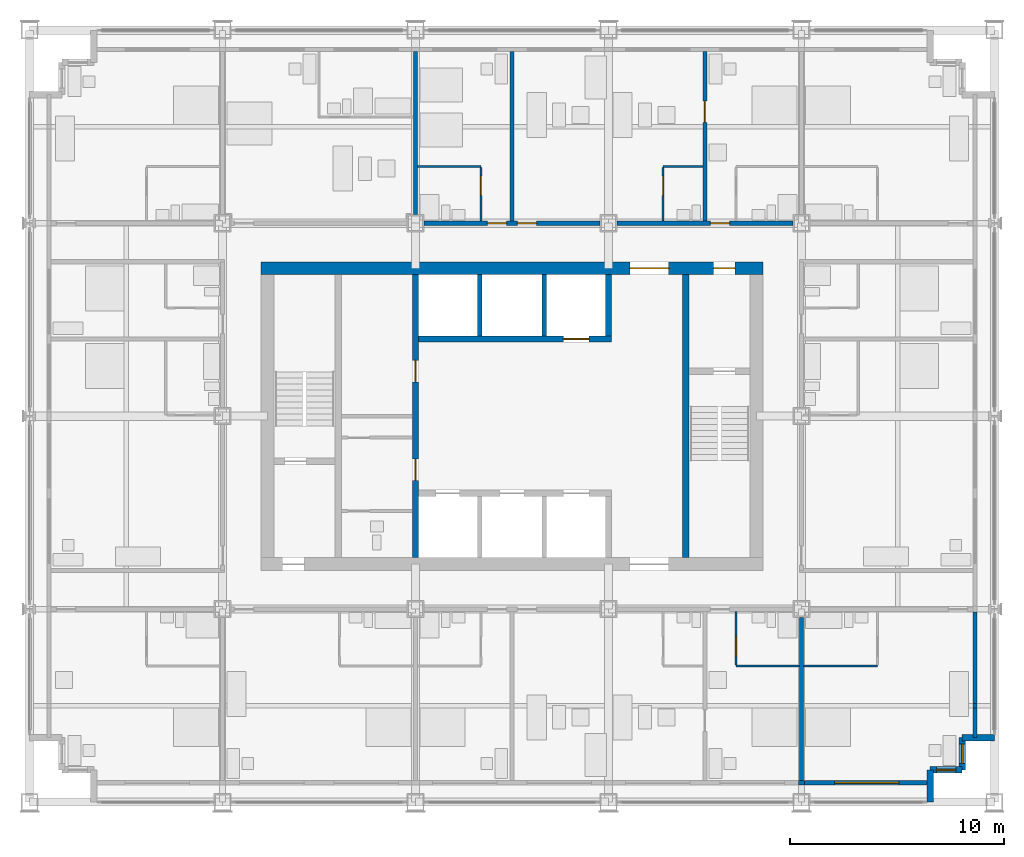
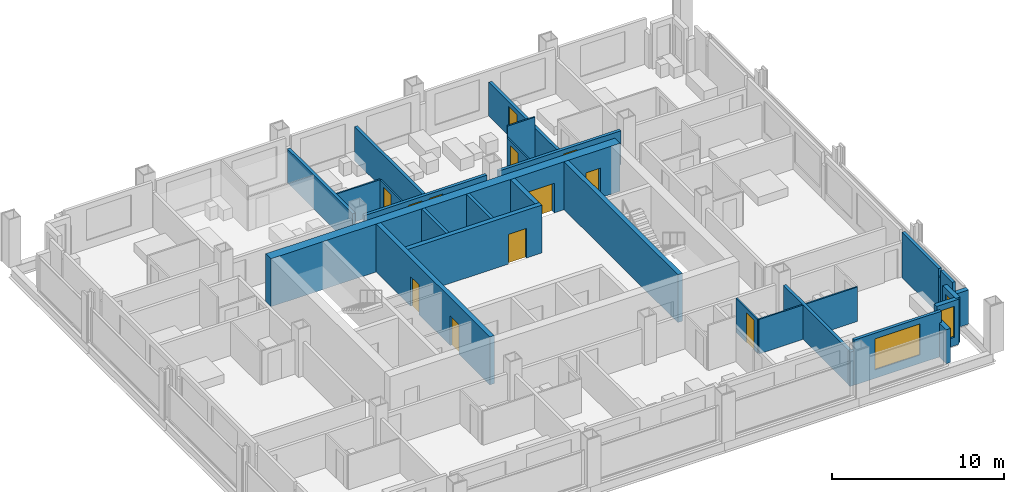
# One storey, part 11 of 16: 29 walls, 12 doors, 3 windows, 15 openings.
"""IFC4 building model written with IfcOpenShell, lengths in metres."""

from ifc_helpers import new_model, si_unit, direction, frame, frame_2d, origin, place, context, subcontext, project, spatial, rectangle, extrude, material, layer, layer_set, type_object, element, fill, save


model = new_model("IFC4")

# Units and contexts
model_context = context("Model", 3, precision=1e-05, world=origin(), true_north=direction((0.0, 1.0)))
body_context = subcontext(model_context, "Body", "Model", "MODEL_VIEW")
ifc_project = project(units=[si_unit("LENGTHUNIT", "METRE"), si_unit("AREAUNIT", "SQUARE_METRE"), si_unit("VOLUMEUNIT", "CUBIC_METRE"), si_unit("PLANEANGLEUNIT", "RADIAN"), si_unit("MASSUNIT", "GRAM", prefix="KILO")], contexts=[model_context])

# Site, building, storey
site_placement = place(None, origin())
site = spatial("IfcSite", under=ifc_project, at=site_placement, CompositionType="ELEMENT")
building_placement = place(site_placement, origin())
building = spatial("IfcBuilding", under=site, at=building_placement, Name="Loomwork Tower", CompositionType="ELEMENT")
storey_placement = place(building_placement, frame((0.0, 0.0, 148.60009765625)))
storey = spatial("IfcBuildingStorey", under=building, at=storey_placement, Name="L40", CompositionType="ELEMENT", Elevation=148.60009765625)

# Wall, openings, doors
ifc_material_1 = material(Name="Concrete 14000 psi (97 MPa)", Category="concrete")
ifc_layer_1 = layer(ifc_material_1, 0.300048828125)
ifc_layer_set_1 = layer_set([ifc_layer_1], Name="Core shear wall 300")
wall_type_1 = type_object("IfcWallType", Name="Core shear wall 300", PredefinedType="SHEAR", material=ifc_layer_set_1)
wall_1_placement = place(storey_placement, frame((18.0, 11.39990234375, 0.0), z_axis=(0.0, 0.0, 1.0), x_axis=(0.0, 1.0, 0.0)))
wall_1 = element("IfcWall", 1, at=wall_1_placement, inside=storey, type_object=wall_type_1, Name="Lobby west wall L40", PredefinedType="SHEAR", context=body_context, shape_type="SweptSolid", body=[
    extrude(rectangle(XDim=13.2001953125, YDim=0.300048828125, at=frame_2d((6.60009765625, 0.0))), origin(), (0.0, 0.0, 1.0), 3.39990234375),
])
opening_1_placement = place(wall_1_placement, frame((3.60009765625, 0.0, 0.0)))
opening_1 = element("IfcOpeningElement", 2, at=opening_1_placement, cuts=wall_1, Name="Opening D5", PredefinedType="OPENING", context=body_context, shape_type="SweptSolid", body=[
    extrude(rectangle(XDim=1.0, YDim=2.10009765625, at=frame_2d((0.5, 1.050048828125))), frame((0.0, 0.159912109375, 0.0), z_axis=(0.0, -1.0, 0.0), x_axis=(1.0, 0.0, 0.0)), (0.0, 0.0, 1.0), 0.320068359375),
])
opening_2_placement = place(wall_1_placement, frame((8.199951171875, 0.0, 0.0)))
opening_2 = element("IfcOpeningElement", 3, at=opening_2_placement, cuts=wall_1, Name="Opening D5", PredefinedType="OPENING", context=body_context, shape_type="SweptSolid", body=[
    extrude(rectangle(XDim=1.0, YDim=2.10009765625, at=frame_2d((0.5, 1.050048828125))), frame((0.0, 0.159912109375, 0.0), z_axis=(0.0, -1.0, 0.0), x_axis=(1.0, 0.0, 0.0)), (0.0, 0.0, 1.0), 0.320068359375),
])
ifc_material_2 = material(Name="Hollow metal door and frame")
door_type_1 = type_object("IfcDoorType", Name="Service door 1000", OperationType="SINGLE_SWING_LEFT", PredefinedType="DOOR", material=ifc_material_2)
door_1_placement = place(opening_1_placement, origin())
door_1 = element("IfcDoor", 4, at=door_1_placement, inside=storey, type_object=door_type_1, Name="Back-of-house door south", OperationType="SINGLE_SWING_LEFT", OverallHeight=2.10009765625, OverallWidth=1.0, PredefinedType="DOOR", context=body_context, shape_type="SweptSolid", body=[
    extrude(rectangle(XDim=1.0, YDim=2.10009765625, at=frame_2d((0.5, 1.050048828125))), frame((0.0, 0.02490234375, 0.0), z_axis=(0.0, -1.0, 0.0), x_axis=(1.0, 0.0, 0.0)), (0.0, 0.0, 1.0), 0.050048828125),
])
fill(opening_1, door_1)
door_2_placement = place(opening_2_placement, origin())
door_2 = element("IfcDoor", 5, at=door_2_placement, inside=storey, type_object=door_type_1, Name="Back-of-house door north", OperationType="SINGLE_SWING_RIGHT", OverallHeight=2.10009765625, OverallWidth=1.0, PredefinedType="DOOR", context=body_context, shape_type="SweptSolid", body=[
    extrude(rectangle(XDim=1.0, YDim=2.10009765625, at=frame_2d((0.5, 1.050048828125))), frame((0.0, 0.02490234375, 0.0), z_axis=(0.0, -1.0, 0.0), x_axis=(1.0, 0.0, 0.0)), (0.0, 0.0, 1.0), 0.050048828125),
])
fill(opening_2, door_2)

# Wall, opening, door
wall_2_placement = place(storey_placement, frame((18.14990234375, 21.60009765625, 0.0), z_axis=(0.0, 0.0, 1.0), x_axis=(1.0, 0.0, 0.0)))
wall_2 = element("IfcWall", 6, at=wall_2_placement, inside=storey, type_object=wall_type_1, Name="Lift front wall north L40", PredefinedType="SHEAR", context=body_context, shape_type="SweptSolid", body=[
    extrude(rectangle(XDim=9.0, YDim=0.300048828125, at=frame_2d((4.5, 0.0))), origin(), (0.0, 0.0, 1.0), 3.39990234375),
])
opening_3_placement = place(wall_2_placement, frame((6.75, 0.0, 0.0)))
opening_3 = element("IfcOpeningElement", 7, at=opening_3_placement, cuts=wall_2, Name="Opening LD2", PredefinedType="OPENING", context=body_context, shape_type="SweptSolid", body=[
    extrude(rectangle(XDim=1.199951171875, YDim=2.10009765625, at=frame_2d((0.60009765625, 1.050048828125))), frame((0.0, 0.159912109375, 0.0), z_axis=(0.0, -1.0, 0.0), x_axis=(1.0, 0.0, 0.0)), (0.0, 0.0, 1.0), 0.320068359375),
])
ifc_material_3 = material(Name="Hollow metal door and frame")
door_type_2 = type_object("IfcDoorType", Name="Lift landing door 1200", OperationType="SLIDING_TO_LEFT", PredefinedType="DOOR", material=ifc_material_3)
door_3_placement = place(opening_3_placement, origin())
door_3 = element("IfcDoor", 8, at=door_3_placement, inside=storey, type_object=door_type_2, Name="Lift landing door LF2", OperationType="SLIDING_TO_LEFT", OverallHeight=2.10009765625, OverallWidth=1.199951171875, PredefinedType="DOOR", context=body_context, shape_type="SweptSolid", body=[
    extrude(rectangle(XDim=1.199951171875, YDim=2.10009765625, at=frame_2d((0.60009765625, 1.050048828125))), frame((0.0, 0.02490234375, 0.0), z_axis=(0.0, -1.0, 0.0), x_axis=(1.0, 0.0, 0.0)), (0.0, 0.0, 1.0), 0.050048828125),
])
fill(opening_3, door_3)

# Walls
wall_3_placement = place(storey_placement, frame((27.0, 21.75, 0.0), z_axis=(0.0, 0.0, 1.0), x_axis=(0.0, 1.0, 0.0)))
element("IfcWall", 9, at=wall_3_placement, inside=storey, type_object=wall_type_1, Name="Lift shaft end wall north L40", PredefinedType="SHEAR", context=body_context, shape_type="SweptSolid", body=[
    extrude(rectangle(XDim=2.85009765625, YDim=0.300048828125, at=frame_2d((1.425048828125, 0.0))), origin(), (0.0, 0.0, 1.0), 3.39990234375),
])
wall_4_placement = place(storey_placement, frame((30.60009765625, 11.39990234375, 0.0), z_axis=(0.0, 0.0, 1.0), x_axis=(0.0, 1.0, 0.0)))
element("IfcWall", 10, at=wall_4_placement, inside=storey, type_object=wall_type_1, Name="Stair B west wall L40", PredefinedType="SHEAR", context=body_context, shape_type="SweptSolid", body=[
    extrude(rectangle(XDim=13.2001953125, YDim=0.300048828125, at=frame_2d((6.60009765625, 0.0))), origin(), (0.0, 0.0, 1.0), 3.39990234375),
])

# Wall, openings, doors
ifc_material_4 = material(Name="Concrete 14000 psi (97 MPa)", Category="concrete")
ifc_layer_2 = layer(ifc_material_4, 0.60009765625)
ifc_layer_set_2 = layer_set([ifc_layer_2], Name="Core shear wall 600")
wall_type_2 = type_object("IfcWallType", Name="Core shear wall 600", PredefinedType="SHEAR", material=ifc_layer_set_2)
wall_5_placement = place(storey_placement, frame((10.800048828125, 24.89990234375, 0.0), z_axis=(0.0, 0.0, 1.0), x_axis=(1.0, 0.0, 0.0)))
wall_5 = element("IfcWall", 11, at=wall_5_placement, inside=storey, type_object=wall_type_2, Name="Core wall north L40", PredefinedType="SHEAR", context=body_context, shape_type="SweptSolid", body=[
    extrude(rectangle(XDim=23.39990234375, YDim=0.60009765625, at=frame_2d((11.699951171875, 0.0))), origin(), (0.0, 0.0, 1.0), 3.39990234375),
])
opening_4_placement = place(wall_5_placement, frame((17.199951171875, 0.0, 0.0)))
opening_4 = element("IfcOpeningElement", 12, at=opening_4_placement, cuts=wall_5, Name="Opening D6", PredefinedType="OPENING", context=body_context, shape_type="SweptSolid", body=[
    extrude(rectangle(XDim=1.800048828125, YDim=2.10009765625, at=frame_2d((0.89990234375, 1.050048828125))), frame((0.0, 0.31005859375, 0.0), z_axis=(0.0, -1.0, 0.0), x_axis=(1.0, 0.0, 0.0)), (0.0, 0.0, 1.0), 0.6201171875),
])
opening_5_placement = place(wall_5_placement, frame((21.10009765625, 0.0, 0.0)))
opening_5 = element("IfcOpeningElement", 13, at=opening_5_placement, cuts=wall_5, Name="Opening D4", PredefinedType="OPENING", context=body_context, shape_type="SweptSolid", body=[
    extrude(rectangle(XDim=1.0, YDim=2.10009765625, at=frame_2d((0.5, 1.050048828125))), frame((0.0, 0.31005859375, 0.0), z_axis=(0.0, -1.0, 0.0), x_axis=(1.0, 0.0, 0.0)), (0.0, 0.0, 1.0), 0.6201171875),
])
ifc_material_5 = material(Name="Hollow metal door and frame")
door_type_3 = type_object("IfcDoorType", Name="Lobby passage double door 1800", OperationType="DOUBLE_DOOR_SINGLE_SWING", PredefinedType="DOOR", material=ifc_material_5)
door_4_placement = place(opening_4_placement, frame((1.800048828125, 0.0, 0.0), z_axis=(0.0, 0.0, 1.0), x_axis=(-1.0, 0.0, 0.0)))
door_4 = element("IfcDoor", 14, at=door_4_placement, inside=storey, type_object=door_type_3, Name="Lobby passage door north", OperationType="DOUBLE_DOOR_SINGLE_SWING", OverallHeight=2.10009765625, OverallWidth=1.800048828125, PredefinedType="DOOR", context=body_context, shape_type="SweptSolid", body=[
    extrude(rectangle(XDim=1.800048828125, YDim=2.10009765625, at=frame_2d((0.89990234375, 1.050048828125))), frame((0.0, 0.02490234375, 0.0), z_axis=(0.0, -1.0, 0.0), x_axis=(1.0, 0.0, 0.0)), (0.0, 0.0, 1.0), 0.050048828125),
])
fill(opening_4, door_4)
ifc_material_6 = material(Name="Hollow metal door and frame")
door_type_4 = type_object("IfcDoorType", Name="Stair door 1000", OperationType="SINGLE_SWING_RIGHT", PredefinedType="DOOR", material=ifc_material_6)
door_5_placement = place(opening_5_placement, frame((1.0, 0.0, 0.0), z_axis=(0.0, 0.0, 1.0), x_axis=(-1.0, 0.0, 0.0)))
door_5 = element("IfcDoor", 15, at=door_5_placement, inside=storey, type_object=door_type_4, Name="Stair B vestibule door", OperationType="SINGLE_SWING_LEFT", OverallHeight=2.10009765625, OverallWidth=1.0, PredefinedType="DOOR", context=body_context, shape_type="SweptSolid", body=[
    extrude(rectangle(XDim=1.0, YDim=2.10009765625, at=frame_2d((0.5, 1.050048828125))), frame((0.0, 0.02490234375, 0.0), z_axis=(0.0, -1.0, 0.0), x_axis=(1.0, 0.0, 0.0)), (0.0, 0.0, 1.0), 0.050048828125),
])
fill(opening_5, door_5)

ifc_material_7 = material(Name="Gypsum board on steel studs, one-hour", Category="steel")
ifc_layer_3 = layer(ifc_material_7, 0.199951171875)
ifc_layer_set_3 = layer_set([ifc_layer_3], Name="Corridor wall 200")
wall_type_3 = type_object("IfcWallType", Name="Corridor wall 200", PredefinedType="PARTITIONING", material=ifc_layer_set_3)
wall_6_placement = place(storey_placement, frame((18.39990234375, 27.0, 0.0), z_axis=(0.0, 0.0, 1.0), x_axis=(1.0, 0.0, 0.0)))
wall_6 = element("IfcWall", 16, at=wall_6_placement, inside=storey, type_object=wall_type_3, Name="North corridor wall 3", PredefinedType="PARTITIONING", context=body_context, shape_type="SweptSolid", body=[
    extrude(rectangle(XDim=8.2001953125, YDim=0.199951171875, at=frame_2d((4.10009765625, 0.0))), origin(), (0.0, 0.0, 1.0), 2.40478515625),
])
opening_6_placement = place(wall_6_placement, frame((2.949951171875, 0.0, 0.0)))
opening_6 = element("IfcOpeningElement", 17, at=opening_6_placement, cuts=wall_6, Name="Opening D1", PredefinedType="OPENING", context=body_context, shape_type="SweptSolid", body=[
    extrude(rectangle(XDim=0.89990234375, YDim=2.10009765625, at=frame_2d((0.449951171875, 1.050048828125))), frame((0.0, 0.10986328125, 0.0), z_axis=(0.0, -1.0, 0.0), x_axis=(1.0, 0.0, 0.0)), (0.0, 0.0, 1.0), 0.219970703125),
])
opening_7_placement = place(wall_6_placement, frame((4.35009765625, 0.0, 0.0)))
opening_7 = element("IfcOpeningElement", 18, at=opening_7_placement, cuts=wall_6, Name="Opening D1", PredefinedType="OPENING", context=body_context, shape_type="SweptSolid", body=[
    extrude(rectangle(XDim=0.89990234375, YDim=2.10009765625, at=frame_2d((0.449951171875, 1.050048828125))), frame((0.0, 0.10986328125, 0.0), z_axis=(0.0, -1.0, 0.0), x_axis=(1.0, 0.0, 0.0)), (0.0, 0.0, 1.0), 0.219970703125),
])
ifc_material_8 = material(Name="Hollow metal door and frame")
door_type_5 = type_object("IfcDoorType", Name="Guest room entry door 900", OperationType="SINGLE_SWING_LEFT", PredefinedType="DOOR", material=ifc_material_8)
door_6_placement = place(opening_6_placement, origin())
door_6 = element("IfcDoor", 19, at=door_6_placement, inside=storey, type_object=door_type_5, Name="Guest room entry door L40 9", OperationType="SINGLE_SWING_RIGHT", OverallHeight=2.10009765625, OverallWidth=0.89990234375, PredefinedType="DOOR", context=body_context, shape_type="SweptSolid", body=[
    extrude(rectangle(XDim=0.89990234375, YDim=2.10009765625, at=frame_2d((0.449951171875, 1.050048828125))), frame((0.0, 0.02490234375, 0.0), z_axis=(0.0, -1.0, 0.0), x_axis=(1.0, 0.0, 0.0)), (0.0, 0.0, 1.0), 0.050048828125),
])
fill(opening_6, door_6)
door_7_placement = place(opening_7_placement, origin())
door_7 = element("IfcDoor", 20, at=door_7_placement, inside=storey, type_object=door_type_5, Name="Guest room entry door L40 10", OperationType="SINGLE_SWING_LEFT", OverallHeight=2.10009765625, OverallWidth=0.89990234375, PredefinedType="DOOR", context=body_context, shape_type="SweptSolid", body=[
    extrude(rectangle(XDim=0.89990234375, YDim=2.10009765625, at=frame_2d((0.449951171875, 1.050048828125))), frame((0.0, 0.02490234375, 0.0), z_axis=(0.0, -1.0, 0.0), x_axis=(1.0, 0.0, 0.0)), (0.0, 0.0, 1.0), 0.050048828125),
])
fill(opening_7, door_7)

# Wall, opening, door
wall_7_placement = place(storey_placement, frame((27.39990234375, 27.0, 0.0), z_axis=(0.0, 0.0, 1.0), x_axis=(1.0, 0.0, 0.0)))
wall_7 = element("IfcWall", 21, at=wall_7_placement, inside=storey, type_object=wall_type_3, Name="North corridor wall 4", PredefinedType="PARTITIONING", context=body_context, shape_type="SweptSolid", body=[
    extrude(rectangle(XDim=8.2001953125, YDim=0.199951171875, at=frame_2d((4.10009765625, 0.0))), origin(), (0.0, 0.0, 1.0), 2.40478515625),
])
opening_8_placement = place(wall_7_placement, frame((4.35009765625, 0.0, 0.0)))
opening_8 = element("IfcOpeningElement", 22, at=opening_8_placement, cuts=wall_7, Name="Opening D1", PredefinedType="OPENING", context=body_context, shape_type="SweptSolid", body=[
    extrude(rectangle(XDim=0.89990234375, YDim=2.10009765625, at=frame_2d((0.449951171875, 1.050048828125))), frame((0.0, 0.10986328125, 0.0), z_axis=(0.0, -1.0, 0.0), x_axis=(1.0, 0.0, 0.0)), (0.0, 0.0, 1.0), 0.219970703125),
])
door_8_placement = place(opening_8_placement, origin())
door_8 = element("IfcDoor", 23, at=door_8_placement, inside=storey, type_object=door_type_5, Name="Guest room entry door L40 11", OperationType="SINGLE_SWING_LEFT", OverallHeight=2.10009765625, OverallWidth=0.89990234375, PredefinedType="DOOR", context=body_context, shape_type="SweptSolid", body=[
    extrude(rectangle(XDim=0.89990234375, YDim=2.10009765625, at=frame_2d((0.449951171875, 1.050048828125))), frame((0.0, 0.02490234375, 0.0), z_axis=(0.0, -1.0, 0.0), x_axis=(1.0, 0.0, 0.0)), (0.0, 0.0, 1.0), 0.050048828125),
])
fill(opening_8, door_8)

# Wall
ifc_material_9 = material(Name="Cement board on steel studs", Category="steel")
ifc_layer_4 = layer(ifc_material_9, 0.10009765625)
ifc_layer_set_4 = layer_set([ifc_layer_4], Name="En-suite partition 100")
wall_type_4 = type_object("IfcWallType", Name="En-suite partition 100", PredefinedType="PARTITIONING", material=ifc_layer_set_4)
wall_8_placement = place(storey_placement, frame((32.949951171875, 6.35009765625, 0.0), z_axis=(0.0, 0.0, 1.0), x_axis=(1.0, 0.0, 0.0)))
element("IfcWall", 24, at=wall_8_placement, inside=storey, type_object=wall_type_4, Name="En-suite wall L40 room 5", PredefinedType="PARTITIONING", context=body_context, shape_type="SweptSolid", body=[
    extrude(rectangle(XDim=2.949951171875, YDim=0.10009765625, at=frame_2d((1.47509765625, 0.0))), origin(), (0.0, 0.0, 1.0), 2.43798828125),
])

# Wall, opening, door
wall_9_placement = place(storey_placement, frame((32.949951171875, 8.89990234375, 0.0), z_axis=(0.0, 0.0, 1.0), x_axis=(0.0, -1.0, 0.0)))
wall_9 = element("IfcWall", 25, at=wall_9_placement, inside=storey, type_object=wall_type_4, Name="En-suite side wall L40 room 5", PredefinedType="PARTITIONING", context=body_context, shape_type="SweptSolid", body=[
    extrude(rectangle(XDim=2.5, YDim=0.10009765625, at=frame_2d((1.25, 0.0))), origin(), (0.0, 0.0, 1.0), 2.40380859375),
])
opening_9_placement = place(wall_9_placement, frame((1.199951171875, 0.0, 0.0)))
opening_9 = element("IfcOpeningElement", 26, at=opening_9_placement, cuts=wall_9, Name="Opening D2", PredefinedType="OPENING", context=body_context, shape_type="SweptSolid", body=[
    extrude(rectangle(XDim=0.89990234375, YDim=2.10009765625, at=frame_2d((0.449951171875, 1.050048828125))), frame((0.0, 0.06005859375, 0.0), z_axis=(0.0, -1.0, 0.0), x_axis=(1.0, 0.0, 0.0)), (0.0, 0.0, 1.0), 0.1201171875),
])
ifc_material_10 = material(Name="Hollow metal door and frame")
door_type_6 = type_object("IfcDoorType", Name="En-suite door 900", OperationType="SINGLE_SWING_LEFT", PredefinedType="DOOR", material=ifc_material_10)
door_9_placement = place(opening_9_placement, origin())
door_9 = element("IfcDoor", 27, at=door_9_placement, inside=storey, type_object=door_type_6, Name="En-suite door room 5", OperationType="SINGLE_SWING_RIGHT", OverallHeight=2.10009765625, OverallWidth=0.89990234375, PredefinedType="DOOR", context=body_context, shape_type="SweptSolid", body=[
    extrude(rectangle(XDim=0.89990234375, YDim=2.10009765625, at=frame_2d((0.449951171875, 1.050048828125))), frame((0.0, 0.02490234375, 0.0), z_axis=(0.0, -1.0, 0.0), x_axis=(1.0, 0.0, 0.0)), (0.0, 0.0, 1.0), 0.050048828125),
])
fill(opening_9, door_9)

# Walls
wall_10_placement = place(storey_placement, frame((36.10009765625, 6.35009765625, 0.0), z_axis=(0.0, 0.0, 1.0), x_axis=(1.0, 0.0, 0.0)))
element("IfcWall", 28, at=wall_10_placement, inside=storey, type_object=wall_type_4, Name="En-suite wall L40 room 6", PredefinedType="PARTITIONING", context=body_context, shape_type="SweptSolid", body=[
    extrude(rectangle(XDim=3.449951171875, YDim=0.10009765625, at=frame_2d((1.72509765625, 0.0))), origin(), (0.0, 0.0, 1.0), 2.43798828125),
])
wall_11_placement = place(storey_placement, frame((18.10009765625, 29.64990234375, 0.0), z_axis=(0.0, 0.0, 1.0), x_axis=(1.0, 0.0, 0.0)))
element("IfcWall", 29, at=wall_11_placement, inside=storey, type_object=wall_type_4, Name="En-suite wall L40 room 9", PredefinedType="PARTITIONING", context=body_context, shape_type="SweptSolid", body=[
    extrude(rectangle(XDim=2.949951171875, YDim=0.10009765625, at=frame_2d((1.47509765625, 0.0))), origin(), (0.0, 0.0, 1.0), 2.40380859375),
])

# Wall, opening, door
wall_12_placement = place(storey_placement, frame((21.050048828125, 27.10009765625, 0.0), z_axis=(0.0, 0.0, 1.0), x_axis=(0.0, 1.0, 0.0)))
wall_12 = element("IfcWall", 30, at=wall_12_placement, inside=storey, type_object=wall_type_4, Name="En-suite side wall L40 room 9", PredefinedType="PARTITIONING", context=body_context, shape_type="SweptSolid", body=[
    extrude(rectangle(XDim=2.5, YDim=0.10009765625, at=frame_2d((1.25, 0.0))), origin(), (0.0, 0.0, 1.0), 2.40380859375),
])
opening_10_placement = place(wall_12_placement, frame((1.199951171875, 0.0, 0.0)))
opening_10 = element("IfcOpeningElement", 31, at=opening_10_placement, cuts=wall_12, Name="Opening D2", PredefinedType="OPENING", context=body_context, shape_type="SweptSolid", body=[
    extrude(rectangle(XDim=0.89990234375, YDim=2.10009765625, at=frame_2d((0.449951171875, 1.050048828125))), frame((0.0, 0.06005859375, 0.0), z_axis=(0.0, -1.0, 0.0), x_axis=(1.0, 0.0, 0.0)), (0.0, 0.0, 1.0), 0.1201171875),
])
door_10_placement = place(opening_10_placement, origin())
door_10 = element("IfcDoor", 32, at=door_10_placement, inside=storey, type_object=door_type_6, Name="En-suite door room 9", OperationType="SINGLE_SWING_RIGHT", OverallHeight=2.10009765625, OverallWidth=0.89990234375, PredefinedType="DOOR", context=body_context, shape_type="SweptSolid", body=[
    extrude(rectangle(XDim=0.89990234375, YDim=2.10009765625, at=frame_2d((0.449951171875, 1.050048828125))), frame((0.0, 0.02490234375, 0.0), z_axis=(0.0, -1.0, 0.0), x_axis=(1.0, 0.0, 0.0)), (0.0, 0.0, 1.0), 0.050048828125),
])
fill(opening_10, door_10)

# Wall
wall_13_placement = place(storey_placement, frame((29.550048828125, 29.64990234375, 0.0), z_axis=(0.0, 0.0, 1.0), x_axis=(1.0, 0.0, 0.0)))
element("IfcWall", 33, at=wall_13_placement, inside=storey, type_object=wall_type_4, Name="En-suite wall L40 room 10", PredefinedType="PARTITIONING", context=body_context, shape_type="SweptSolid", body=[
    extrude(rectangle(XDim=1.849853515625, YDim=0.10009765625, at=frame_2d((0.9248046875, 0.0))), origin(), (0.0, 0.0, 1.0), 3.199951171875),
])

# Wall, opening, door
wall_14_placement = place(storey_placement, frame((29.550048828125, 27.10009765625, 0.0), z_axis=(0.0, 0.0, 1.0), x_axis=(0.0, 1.0, 0.0)))
wall_14 = element("IfcWall", 34, at=wall_14_placement, inside=storey, type_object=wall_type_4, Name="En-suite side wall L40 room 10", PredefinedType="PARTITIONING", context=body_context, shape_type="SweptSolid", body=[
    extrude(rectangle(XDim=2.5, YDim=0.10009765625, at=frame_2d((1.25, 0.0))), origin(), (0.0, 0.0, 1.0), 2.40380859375),
])
opening_11_placement = place(wall_14_placement, frame((1.199951171875, 0.0, 0.0)))
opening_11 = element("IfcOpeningElement", 35, at=opening_11_placement, cuts=wall_14, Name="Opening D2", PredefinedType="OPENING", context=body_context, shape_type="SweptSolid", body=[
    extrude(rectangle(XDim=0.89990234375, YDim=2.10009765625, at=frame_2d((0.449951171875, 1.050048828125))), frame((0.0, 0.06005859375, 0.0), z_axis=(0.0, -1.0, 0.0), x_axis=(1.0, 0.0, 0.0)), (0.0, 0.0, 1.0), 0.1201171875),
])
door_11_placement = place(opening_11_placement, frame((0.89990234375, 0.0, 0.0), z_axis=(0.0, 0.0, 1.0), x_axis=(-1.0, 0.0, 0.0)))
door_11 = element("IfcDoor", 36, at=door_11_placement, inside=storey, type_object=door_type_6, Name="Suite powder room door room 10", OperationType="SINGLE_SWING_LEFT", OverallHeight=2.10009765625, OverallWidth=0.89990234375, PredefinedType="DOOR", context=body_context, shape_type="SweptSolid", body=[
    extrude(rectangle(XDim=0.89990234375, YDim=2.10009765625, at=frame_2d((0.449951171875, 1.050048828125))), frame((0.0, 0.02490234375, 0.0), z_axis=(0.0, -1.0, 0.0), x_axis=(1.0, 0.0, 0.0)), (0.0, 0.0, 1.0), 0.050048828125),
])
fill(opening_11, door_11)

# Walls
ifc_material_11 = material(Name="Gypsum board on steel studs, acoustic", Category="steel")
ifc_layer_5 = layer(ifc_material_11, 0.199951171875)
ifc_layer_set_5 = layer_set([ifc_layer_5], Name="Guest room party wall 200")
wall_type_5 = type_object("IfcWallType", Name="Guest room party wall 200", PredefinedType="PARTITIONING", material=ifc_layer_set_5)
wall_15_placement = place(storey_placement, frame((36.0, 8.60009765625, 0.0), z_axis=(0.0, 0.0, 1.0), x_axis=(0.0, -1.0, 0.0)))
element("IfcWall", 37, at=wall_15_placement, inside=storey, type_object=wall_type_5, Name="Guest room party wall S 36", PredefinedType="PARTITIONING", context=body_context, shape_type="SweptSolid", body=[
    extrude(rectangle(XDim=7.60009765625, YDim=0.199951171875, at=frame_2d((3.800048828125, 0.0))), origin(), (0.0, 0.0, 1.0), 2.43798828125),
])
wall_16_placement = place(storey_placement, frame((18.0, 27.39990234375, 0.0), z_axis=(0.0, 0.0, 1.0), x_axis=(0.0, 1.0, 0.0)))
element("IfcWall", 38, at=wall_16_placement, inside=storey, type_object=wall_type_5, Name="Guest room party wall N 18", PredefinedType="PARTITIONING", context=body_context, shape_type="SweptSolid", body=[
    extrude(rectangle(XDim=7.60009765625, YDim=0.199951171875, at=frame_2d((3.800048828125, 0.0))), origin(), (0.0, 0.0, 1.0), 2.40478515625),
])
wall_17_placement = place(storey_placement, frame((22.5, 27.10009765625, 0.0), z_axis=(0.0, 0.0, 1.0), x_axis=(0.0, 1.0, 0.0)))
element("IfcWall", 39, at=wall_17_placement, inside=storey, type_object=wall_type_5, Name="Guest room party wall N 22.5", PredefinedType="PARTITIONING", context=body_context, shape_type="SweptSolid", body=[
    extrude(rectangle(XDim=7.89990234375, YDim=0.199951171875, at=frame_2d((3.949951171875, 0.0))), origin(), (0.0, 0.0, 1.0), 2.40380859375),
])

# Wall, opening, door
wall_18_placement = place(storey_placement, frame((31.5, 27.10009765625, 0.0), z_axis=(0.0, 0.0, 1.0), x_axis=(0.0, 1.0, 0.0)))
wall_18 = element("IfcWall", 40, at=wall_18_placement, inside=storey, type_object=wall_type_5, Name="Guest room party wall N 31.5", PredefinedType="PARTITIONING", context=body_context, shape_type="SweptSolid", body=[
    extrude(rectangle(XDim=7.89990234375, YDim=0.199951171875, at=frame_2d((3.949951171875, 0.0))), origin(), (0.0, 0.0, 1.0), 2.40380859375),
])
opening_12_placement = place(wall_18_placement, frame((4.60009765625, 0.0, 0.0)))
opening_12 = element("IfcOpeningElement", 41, at=opening_12_placement, cuts=wall_18, Name="Opening D7", PredefinedType="OPENING", context=body_context, shape_type="SweptSolid", body=[
    extrude(rectangle(XDim=1.0, YDim=2.10009765625, at=frame_2d((0.5, 1.050048828125))), frame((0.0, 0.10986328125, 0.0), z_axis=(0.0, -1.0, 0.0), x_axis=(1.0, 0.0, 0.0)), (0.0, 0.0, 1.0), 0.219970703125),
])
ifc_material_12 = material(Name="Hollow metal door and frame")
door_type_7 = type_object("IfcDoorType", Name="Room door 1000", OperationType="SINGLE_SWING_LEFT", PredefinedType="DOOR", material=ifc_material_12)
door_12_placement = place(opening_12_placement, frame((1.0, 0.0, 0.0), z_axis=(0.0, 0.0, 1.0), x_axis=(-1.0, 0.0, 0.0)))
door_12 = element("IfcDoor", 42, at=door_12_placement, inside=storey, type_object=door_type_7, Name="Suite connecting door L40 N 31.5", OperationType="SINGLE_SWING_RIGHT", OverallHeight=2.10009765625, OverallWidth=1.0, PredefinedType="DOOR", context=body_context, shape_type="SweptSolid", body=[
    extrude(rectangle(XDim=1.0, YDim=2.10009765625, at=frame_2d((0.5, 1.050048828125))), frame((0.0, 0.02490234375, 0.0), z_axis=(0.0, -1.0, 0.0), x_axis=(1.0, 0.0, 0.0)), (0.0, 0.0, 1.0), 0.050048828125),
])
fill(opening_12, door_12)

# Walls
ifc_material_13 = material(Name="Insulated steel stud wall with gypsum lining", Category="steel")
ifc_layer_6 = layer(ifc_material_13, 0.199951171875)
ifc_layer_set_6 = layer_set([ifc_layer_6], Name="Inner skin wall 200")
wall_type_6 = type_object("IfcWallType", Name="Inner skin wall 200", PredefinedType="SOLIDWALL", material=ifc_layer_set_6)
wall_19_placement = place(storey_placement, frame((44.10009765625, 3.0, 0.0), z_axis=(0.0, 0.0, 1.0), x_axis=(0.0, 1.0, 0.0)))
element("IfcWall", 43, at=wall_19_placement, inside=storey, type_object=wall_type_6, Name="Inner skin wall E", PredefinedType="SOLIDWALL", context=body_context, shape_type="SweptSolid", body=[
    extrude(rectangle(XDim=1.392578125, YDim=0.199951171875, at=frame_2d((0.6962890625, 0.0))), origin(), (0.0, 0.0, 1.0), 3.199951171875),
])
wall_20_placement = place(storey_placement, frame((35.864501953125, 0.89990234375, 0.0), z_axis=(0.0, 0.0, 1.0), x_axis=(1.0, 0.0, 0.0)))
element("IfcWall", 44, at=wall_20_placement, inside=storey, type_object=wall_type_6, Name="Inner skin wall S bay 8", PredefinedType="SOLIDWALL", context=body_context, shape_type="SweptSolid", body=[
    extrude(rectangle(XDim=0.27099609375, YDim=0.199951171875, at=frame_2d((0.135498046875, 0.0))), origin(), (0.0, 0.0, 1.0), 2.43798828125),
])

# Wall, opening, window
wall_21_placement = place(storey_placement, frame((36.135498046875, 0.89990234375, 0.0), z_axis=(0.0, 0.0, 1.0), x_axis=(1.0, 0.0, 0.0)))
wall_21 = element("IfcWall", 45, at=wall_21_placement, inside=storey, type_object=wall_type_6, Name="Inner skin wall S bay 9", PredefinedType="SOLIDWALL", context=body_context, shape_type="SweptSolid", body=[
    extrude(rectangle(XDim=5.864501953125, YDim=0.199951171875, at=frame_2d((2.93212890625, 0.0))), origin(), (0.0, 0.0, 1.0), 3.199951171875),
])
opening_13_placement = place(wall_21_placement, frame((1.41455078125, 0.0, 0.60009765625)))
opening_13 = element("IfcOpeningElement", 46, at=opening_13_placement, cuts=wall_21, Name="Opening CH1", PredefinedType="OPENING", context=body_context, shape_type="SweptSolid", body=[
    extrude(rectangle(XDim=3.0, YDim=2.199951171875, at=frame_2d((1.5, 1.10009765625))), frame((0.0, 0.10986328125, 0.0), z_axis=(0.0, -1.0, 0.0), x_axis=(1.0, 0.0, 0.0)), (0.0, 0.0, 1.0), 0.219970703125),
])
ifc_material_14 = material(Name="Aluminium frame with clear insulated glass", Category="aluminium")
window_type_1 = type_object("IfcWindowType", Name="Chicago window 3000", PartitioningType="TRIPLE_PANEL_VERTICAL", PredefinedType="WINDOW", material=ifc_material_14)
window_1_placement = place(opening_13_placement, origin())
window_1 = element("IfcWindow", 47, at=window_1_placement, inside=storey, type_object=window_type_1, Name="Chicago window L40 bay 5", OverallHeight=2.199951171875, OverallWidth=3.0, PartitioningType="TRIPLE_PANEL_VERTICAL", PredefinedType="WINDOW", context=body_context, shape_type="SweptSolid", body=[
    extrude(rectangle(XDim=3.0, YDim=2.199951171875, at=frame_2d((1.5, 1.10009765625))), frame((0.0, 0.030029296875, 0.0), z_axis=(0.0, -1.0, 0.0), x_axis=(1.0, 0.0, 0.0)), (0.0, 0.0, 1.0), 0.06005859375),
])
fill(opening_13, window_1)

# Walls
wall_22_placement = place(storey_placement, frame((44.10009765625, 4.392578125, 0.0), z_axis=(0.0, 0.0, 1.0), x_axis=(0.0, 1.0, 0.0)))
element("IfcWall", 48, at=wall_22_placement, inside=storey, type_object=wall_type_6, Name="Inner skin wall E bay 2", PredefinedType="SOLIDWALL", context=body_context, shape_type="SweptSolid", body=[
    extrude(rectangle(XDim=0.21484375, YDim=0.199951171875, at=frame_2d((0.107421875, 0.0))), origin(), (0.0, 0.0, 1.0), 2.660888671875),
])
wall_23_placement = place(storey_placement, frame((44.10009765625, 4.607421875, 0.0), z_axis=(0.0, 0.0, 1.0), x_axis=(0.0, 1.0, 0.0)))
element("IfcWall", 49, at=wall_23_placement, inside=storey, type_object=wall_type_6, Name="Inner skin wall E bay 3", PredefinedType="SOLIDWALL", context=body_context, shape_type="SweptSolid", body=[
    extrude(rectangle(XDim=4.25732421875, YDim=0.199951171875, at=frame_2d((2.128662109375, 0.0))), origin(), (0.0, 0.0, 1.0), 3.199951171875),
])
ifc_material_15 = material(Name="Concrete 14000 psi (97 MPa)", Category="concrete")
ifc_layer_7 = layer(ifc_material_15, 0.199951171875)
ifc_layer_set_7 = layer_set([ifc_layer_7], Name="Lift shaft wall 200")
wall_type_7 = type_object("IfcWallType", Name="Lift shaft wall 200", PredefinedType="SHEAR", material=ifc_layer_set_7)
for number, where, z_axis, x_axis, name in (
    (50, (21.0, 21.75, 0.0), (0.0, 0.0, 1.0), (0.0, 1.0, 0.0), "Lift shaft separation wall north 1 L40"),
    (51, (24.0, 21.75, 0.0), (0.0, 0.0, 1.0), (0.0, 1.0, 0.0), "Lift shaft separation wall north 2 L40"),
):
    element("IfcWall", number, at=place(storey_placement, frame(where, z_axis=z_axis, x_axis=x_axis)), inside=storey, type_object=wall_type_7, Name=name, PredefinedType="SHEAR", context=body_context, shape_type="SweptSolid", body=[
        extrude(rectangle(XDim=2.85009765625, YDim=0.199951171875, at=frame_2d((1.425048828125, 0.0))), origin(), (0.0, 0.0, 1.0), 3.39990234375),
    ])
ifc_material_16 = material(Name="Limestone on concrete masonry", Category="masonry")
ifc_layer_8 = layer(ifc_material_16, 0.300048828125)
ifc_layer_set_8 = layer_set([ifc_layer_8], Name="Limestone corner wall 300")
wall_type_8 = type_object("IfcWallType", Name="Limestone corner wall 300", PredefinedType="SOLIDWALL", material=ifc_layer_set_8)
wall_24_placement = place(storey_placement, frame((42.0, 0.0, 0.0), z_axis=(0.0, 0.0, 1.0), x_axis=(0.0, 1.0, 0.0)))
element("IfcWall", 52, at=wall_24_placement, inside=storey, type_object=wall_type_8, Name="Stone corner wall SE 1", PredefinedType="SOLIDWALL", context=body_context, shape_type="SweptSolid", body=[
    extrude(rectangle(XDim=1.5, YDim=0.300048828125, at=frame_2d((0.75, 0.0))), origin(), (0.0, 0.0, 1.0), 2.419921875),
])

# Wall, opening, window
wall_25_placement = place(storey_placement, frame((42.0, 1.5, 0.0), z_axis=(0.0, 0.0, 1.0), x_axis=(1.0, 0.0, 0.0)))
wall_25 = element("IfcWall", 53, at=wall_25_placement, inside=storey, type_object=wall_type_8, Name="Stone corner wall SE 2", PredefinedType="SOLIDWALL", context=body_context, shape_type="SweptSolid", body=[
    extrude(rectangle(XDim=1.5, YDim=0.300048828125, at=frame_2d((0.75, 0.0))), origin(), (0.0, 0.0, 1.0), 3.199951171875),
])
opening_14_placement = place(wall_25_placement, frame((0.300048828125, 0.0, 0.60009765625)))
opening_14 = element("IfcOpeningElement", 54, at=opening_14_placement, cuts=wall_25, Name="Opening CH2", PredefinedType="OPENING", context=body_context, shape_type="SweptSolid", body=[
    extrude(rectangle(XDim=0.89990234375, YDim=2.199951171875, at=frame_2d((0.449951171875, 1.10009765625))), frame((0.0, 0.159912109375, 0.0), z_axis=(0.0, -1.0, 0.0), x_axis=(1.0, 0.0, 0.0)), (0.0, 0.0, 1.0), 0.320068359375),
])
ifc_material_17 = material(Name="Aluminium frame with clear insulated glass", Category="aluminium")
window_type_2 = type_object("IfcWindowType", Name="Corner window 900", PartitioningType="SINGLE_PANEL", PredefinedType="WINDOW", material=ifc_material_17)
window_2_placement = place(opening_14_placement, origin())
window_2 = element("IfcWindow", 55, at=window_2_placement, inside=storey, type_object=window_type_2, Name="Corner window SE", OverallHeight=2.199951171875, OverallWidth=0.89990234375, PartitioningType="SINGLE_PANEL", PredefinedType="WINDOW", context=body_context, shape_type="SweptSolid", body=[
    extrude(rectangle(XDim=0.89990234375, YDim=2.199951171875, at=frame_2d((0.449951171875, 1.10009765625))), frame((0.0, 0.030029296875, 0.0), z_axis=(0.0, -1.0, 0.0), x_axis=(1.0, 0.0, 0.0)), (0.0, 0.0, 1.0), 0.06005859375),
])
fill(opening_14, window_2)

wall_26_placement = place(storey_placement, frame((43.5, 1.5, 0.0), z_axis=(0.0, 0.0, 1.0), x_axis=(0.0, 1.0, 0.0)))
wall_26 = element("IfcWall", 56, at=wall_26_placement, inside=storey, type_object=wall_type_8, Name="Stone corner wall SE 3", PredefinedType="SOLIDWALL", context=body_context, shape_type="SweptSolid", body=[
    extrude(rectangle(XDim=1.5, YDim=0.300048828125, at=frame_2d((0.75, 0.0))), origin(), (0.0, 0.0, 1.0), 3.199951171875),
])
opening_15_placement = place(wall_26_placement, frame((0.300048828125, 0.0, 0.60009765625)))
opening_15 = element("IfcOpeningElement", 57, at=opening_15_placement, cuts=wall_26, Name="Opening CH2", PredefinedType="OPENING", context=body_context, shape_type="SweptSolid", body=[
    extrude(rectangle(XDim=0.89990234375, YDim=2.199951171875, at=frame_2d((0.449951171875, 1.10009765625))), frame((0.0, 0.159912109375, 0.0), z_axis=(0.0, -1.0, 0.0), x_axis=(1.0, 0.0, 0.0)), (0.0, 0.0, 1.0), 0.320068359375),
])
window_3_placement = place(opening_15_placement, origin())
window_3 = element("IfcWindow", 58, at=window_3_placement, inside=storey, type_object=window_type_2, Name="Corner window SE", OverallHeight=2.199951171875, OverallWidth=0.89990234375, PartitioningType="SINGLE_PANEL", PredefinedType="WINDOW", context=body_context, shape_type="SweptSolid", body=[
    extrude(rectangle(XDim=0.89990234375, YDim=2.199951171875, at=frame_2d((0.449951171875, 1.10009765625))), frame((0.0, 0.030029296875, 0.0), z_axis=(0.0, -1.0, 0.0), x_axis=(1.0, 0.0, 0.0)), (0.0, 0.0, 1.0), 0.06005859375),
])
fill(opening_15, window_3)

# Wall
wall_27_placement = place(storey_placement, frame((43.5, 3.0, 0.0), z_axis=(0.0, 0.0, 1.0), x_axis=(1.0, 0.0, 0.0)))
element("IfcWall", 59, at=wall_27_placement, inside=storey, type_object=wall_type_8, Name="Stone corner wall SE 4", PredefinedType="SOLIDWALL", context=body_context, shape_type="SweptSolid", body=[
    extrude(rectangle(XDim=1.5, YDim=0.300048828125, at=frame_2d((0.75, 0.0))), origin(), (0.0, 0.0, 1.0), 2.419921875),
])

save(model, "model.ifc")
